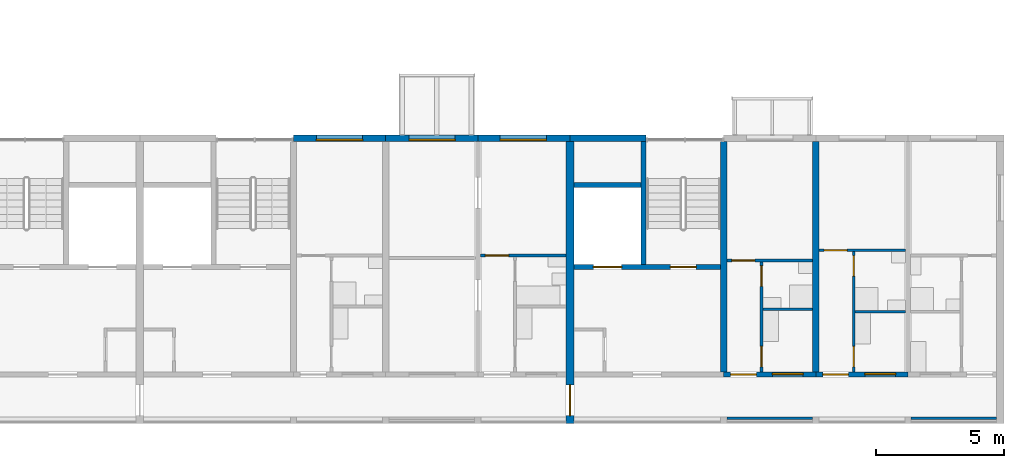
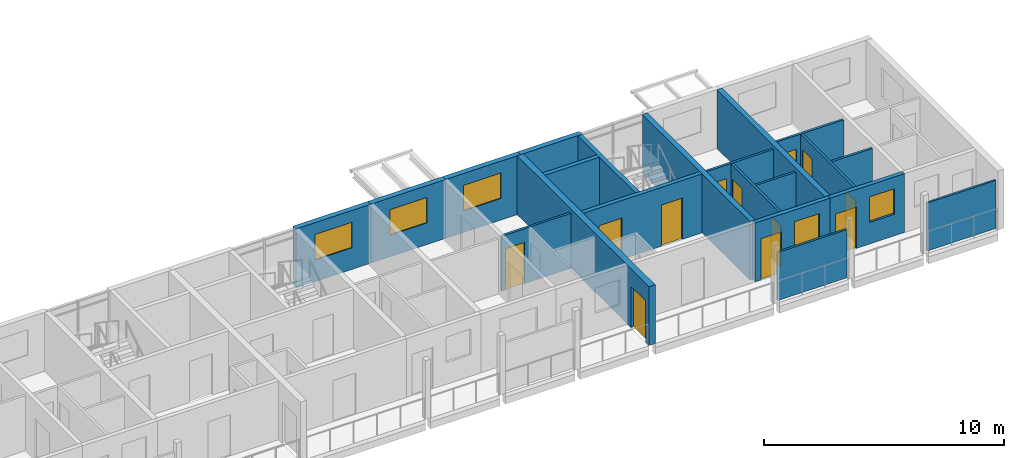
# One storey, part 53 of 99: 21 walls, 12 doors, 5 windows, 17 openings.
"""IFC4 building model written with IfcOpenShell, lengths in metres."""

from ifc_helpers import new_model, si_unit, direction, frame, frame_2d, origin, place, context, subcontext, project, spatial, rectangle, extrude, material, layer, layer_set, type_object, element, fill, save


model = new_model("IFC4")

# Units and contexts
model_context = context("Model", 3, precision=1e-05, world=origin(), true_north=direction((0.0, 1.0)))
body_context = subcontext(model_context, "Body", "Model", "MODEL_VIEW")
ifc_project = project(units=[si_unit("LENGTHUNIT", "METRE"), si_unit("AREAUNIT", "SQUARE_METRE"), si_unit("VOLUMEUNIT", "CUBIC_METRE"), si_unit("PLANEANGLEUNIT", "RADIAN"), si_unit("MASSUNIT", "GRAM", prefix="KILO")], contexts=[model_context])

# Site, building, storey
site_placement = place(None, origin())
site = spatial("IfcSite", under=ifc_project, at=site_placement, CompositionType="ELEMENT")
building_placement = place(site_placement, origin())
building = spatial("IfcBuilding", under=site, at=building_placement, Name="Ridgestep Commons", CompositionType="ELEMENT")
storey_placement = place(building_placement, frame((0.0, 0.0, 15.0)))
storey = spatial("IfcBuildingStorey", under=building, at=storey_placement, Name="L05", CompositionType="ELEMENT", Elevation=15.0)

# Wall
ifc_material_1 = material(Name="Concrete C30/37", Category="concrete")
ifc_layer_1 = layer(ifc_material_1, 0.25)
ifc_layer_set_1 = layer_set([ifc_layer_1], Name="Core cross wall 250")
wall_type_1 = type_object("IfcWallType", Name="Core cross wall 250", PredefinedType="SHEAR", material=ifc_layer_set_1)
wall_1_placement = place(storey_placement, frame((236.800048828125, 13.75, 0.0), z_axis=(0.0, 0.0, 1.0), x_axis=(0.0, 1.0, 0.0)))
element("IfcWall", 1, at=wall_1_placement, inside=storey, type_object=wall_type_1, Name="Cross wall D-05-2368", PredefinedType="SHEAR", context=body_context, shape_type="SweptSolid", body=[
    extrude(rectangle(XDim=9.0, YDim=0.25, at=frame_2d((4.5, 0.0))), origin(), (0.0, 0.0, 1.0), 3.0),
])

# Wall, openings, doors
ifc_material_2 = material(Name="Concrete C30/37", Category="concrete")
ifc_layer_2 = layer(ifc_material_2, 0.199951171875)
ifc_layer_set_2 = layer_set([ifc_layer_2], Name="Core wall 200")
wall_type_2 = type_object("IfcWallType", Name="Core wall 200", PredefinedType="SHEAR", material=ifc_layer_set_2)
wall_2_placement = place(storey_placement, frame((230.949951171875, 17.85009765625, 0.0), z_axis=(0.0, 0.0, 1.0), x_axis=(1.0, 0.0, 0.0)))
wall_2 = element("IfcWall", 2, at=wall_2_placement, inside=storey, type_object=wall_type_2, Name="Core lobby wall D6C L05", PredefinedType="SHEAR", context=body_context, shape_type="SweptSolid", body=[
    extrude(rectangle(XDim=5.72509765625, YDim=0.199951171875, at=frame_2d((2.862548828125, 0.0))), origin(), (0.0, 0.0, 1.0), 3.0),
])
opening_1_placement = place(wall_2_placement, frame((3.77490234375, 0.0, 0.0)))
opening_1 = element("IfcOpeningElement", 3, at=opening_1_placement, cuts=wall_2, Name="Opening D6C/05/2", PredefinedType="OPENING", context=body_context, shape_type="SweptSolid", body=[
    extrude(rectangle(XDim=1.0, YDim=2.10009765625, at=frame_2d((0.5, 1.050048828125))), frame((0.0, 0.10986328125, 0.0), z_axis=(0.0, -1.0, 0.0), x_axis=(1.0, 0.0, 0.0)), (0.0, 0.0, 1.0), 0.219970703125),
])
opening_2_placement = place(wall_2_placement, frame((0.762451171875, 0.0, 0.0)))
opening_2 = element("IfcOpeningElement", 4, at=opening_2_placement, cuts=wall_2, Name="Opening D6C/05/3", PredefinedType="OPENING", context=body_context, shape_type="SweptSolid", body=[
    extrude(rectangle(XDim=1.10009765625, YDim=2.10009765625, at=frame_2d((0.550048828125, 1.050048828125))), frame((0.0, 0.10986328125, 0.0), z_axis=(0.0, -1.0, 0.0), x_axis=(1.0, 0.0, 0.0)), (0.0, 0.0, 1.0), 0.219970703125),
])
ifc_material_3 = material(Name="Stainless steel", Category="steel")
door_type_1 = type_object("IfcDoorType", Name="Lift landing door 1100 x 2100 FD60", OperationType="DOUBLE_DOOR_SLIDING", PredefinedType="DOOR", material=ifc_material_3)
door_1_placement = place(opening_2_placement, origin())
door_1 = element("IfcDoor", 5, at=door_1_placement, inside=storey, type_object=door_type_1, Name="Landing door LD D6C L05", OperationType="DOUBLE_DOOR_SLIDING", OverallHeight=2.10009765625, OverallWidth=1.10009765625, PredefinedType="DOOR", context=body_context, shape_type="SweptSolid", body=[
    extrude(rectangle(XDim=1.10009765625, YDim=2.10009765625, at=frame_2d((0.550048828125, 1.050048828125))), frame((0.0, 0.02490234375, 0.0), z_axis=(0.0, -1.0, 0.0), x_axis=(1.0, 0.0, 0.0)), (0.0, 0.0, 1.0), 0.050048828125),
])
fill(opening_2, door_1)
ifc_material_4 = material(Name="Steel fire door", Category="steel")
door_type_2 = type_object("IfcDoorType", Name="Stair door 1000 x 2100 FD60", OperationType="NOTDEFINED", PredefinedType="DOOR", material=ifc_material_4)
door_2_placement = place(opening_1_placement, origin())
door_2 = element("IfcDoor", 6, at=door_2_placement, inside=storey, type_object=door_type_2, Name="Stair door D6C/05/2", OperationType="SINGLE_SWING_RIGHT", OverallHeight=2.10009765625, OverallWidth=1.0, PredefinedType="DOOR", context=body_context, shape_type="SweptSolid", body=[
    extrude(rectangle(XDim=1.0, YDim=2.10009765625, at=frame_2d((0.5, 1.050048828125))), frame((0.0, 0.02490234375, 0.0), z_axis=(0.0, -1.0, 0.0), x_axis=(1.0, 0.0, 0.0)), (0.0, 0.0, 1.0), 0.050048828125),
])
fill(opening_1, door_2)

# Walls
wall_3_placement = place(storey_placement, frame((233.675048828125, 17.949951171875, 0.0), z_axis=(0.0, 0.0, 1.0), x_axis=(0.0, 1.0, 0.0)))
element("IfcWall", 7, at=wall_3_placement, inside=storey, type_object=wall_type_2, Name="Core stair wall D6C L05", PredefinedType="SHEAR", context=body_context, shape_type="SweptSolid", body=[
    extrude(rectangle(XDim=4.800048828125, YDim=0.199951171875, at=frame_2d((2.39990234375, 0.0))), origin(), (0.0, 0.0, 1.0), 3.0),
])
wall_4_placement = place(storey_placement, frame((230.949951171875, 21.050048828125, 0.0), z_axis=(0.0, 0.0, 1.0), x_axis=(1.0, 0.0, 0.0)))
element("IfcWall", 8, at=wall_4_placement, inside=storey, type_object=wall_type_2, Name="Core duct wall D6C L05", PredefinedType="SHEAR", context=body_context, shape_type="SweptSolid", body=[
    extrude(rectangle(XDim=2.625, YDim=0.199951171875, at=frame_2d((1.3125, 0.0))), origin(), (0.0, 0.0, 1.0), 3.0),
])
ifc_material_5 = material(Name="Precast concrete C40/50", Category="concrete")
ifc_layer_3 = layer(ifc_material_5, 0.25)
ifc_layer_set_3 = layer_set([ifc_layer_3], Name="Cross wall 250")
wall_type_3 = type_object("IfcWallType", Name="Cross wall 250", PredefinedType="SHEAR", material=ifc_layer_set_3)
wall_5_placement = place(storey_placement, frame((240.39990234375, 13.75, 0.0), z_axis=(0.0, 0.0, 1.0), x_axis=(0.0, 1.0, 0.0)))
element("IfcWall", 9, at=wall_5_placement, inside=storey, type_object=wall_type_3, Name="Cross wall D-05-2404", PredefinedType="SHEAR", context=body_context, shape_type="SweptSolid", body=[
    extrude(rectangle(XDim=9.0, YDim=0.25, at=frame_2d((4.5, 0.0))), origin(), (0.0, 0.0, 1.0), 3.0),
])

# Wall, opening, door
ifc_material_6 = material(Name="Precast concrete C40/50", Category="concrete")
ifc_layer_4 = layer(ifc_material_6, 0.300048828125)
ifc_layer_set_4 = layer_set([ifc_layer_4], Name="Division wall 300")
wall_type_4 = type_object("IfcWallType", Name="Division wall 300", PredefinedType="SHEAR", material=ifc_layer_set_4)
wall_6_placement = place(storey_placement, frame((230.800048828125, 11.75, 0.0), z_axis=(0.0, 0.0, 1.0), x_axis=(0.0, 1.0, 0.0)))
wall_6 = element("IfcWall", 10, at=wall_6_placement, inside=storey, type_object=wall_type_4, Name="Cross wall D-05-2308", PredefinedType="SHEAR", context=body_context, shape_type="SweptSolid", body=[
    extrude(rectangle(XDim=11.0, YDim=0.300048828125, at=frame_2d((5.5, 0.0))), origin(), (0.0, 0.0, 1.0), 3.0),
])
opening_3_placement = place(wall_6_placement, frame((0.300048828125, 0.0, 0.0)))
opening_3 = element("IfcOpeningElement", 11, at=opening_3_placement, cuts=wall_6, Name="Opening D/05/G2308", PredefinedType="OPENING", context=body_context, shape_type="SweptSolid", body=[
    extrude(rectangle(XDim=1.199951171875, YDim=2.10009765625, at=frame_2d((0.60009765625, 1.050048828125))), frame((0.0, 0.159912109375, 0.0), z_axis=(0.0, -1.0, 0.0), x_axis=(1.0, 0.0, 0.0)), (0.0, 0.0, 1.0), 0.320068359375),
])
ifc_material_7 = material(Name="Steel fire door", Category="steel")
door_type_3 = type_object("IfcDoorType", Name="Division fire door 1200 x 2100 EI 240", OperationType="DOUBLE_DOOR_SINGLE_SWING", PredefinedType="DOOR", material=ifc_material_7)
door_3_placement = place(opening_3_placement, origin())
door_3 = element("IfcDoor", 12, at=door_3_placement, inside=storey, type_object=door_type_3, Name="Division fire door D/05/G2308", OperationType="DOUBLE_DOOR_SINGLE_SWING", OverallHeight=2.10009765625, OverallWidth=1.199951171875, PredefinedType="DOOR", context=body_context, shape_type="SweptSolid", body=[
    extrude(rectangle(XDim=1.199951171875, YDim=2.10009765625, at=frame_2d((0.60009765625, 1.050048828125))), frame((0.0, 0.02490234375, 0.0), z_axis=(0.0, -1.0, 0.0), x_axis=(1.0, 0.0, 0.0)), (0.0, 0.0, 1.0), 0.050048828125),
])
fill(opening_3, door_3)

# Wall, opening, window
ifc_material_8 = material(Name="Precast concrete C40/50", Category="concrete")
ifc_layer_5 = layer(ifc_material_8, 0.25)
ifc_layer_set_5 = layer_set([ifc_layer_5], Name="North facade panel 250")
wall_type_5 = type_object("IfcWallType", Name="North facade panel 250", PredefinedType="SOLIDWALL", material=ifc_layer_set_5)
wall_7_placement = place(storey_placement, frame((220.0, 22.875, 0.0), z_axis=(0.0, 0.0, 1.0), x_axis=(1.0, 0.0, 0.0)))
wall_7 = element("IfcWall", 13, at=wall_7_placement, inside=storey, type_object=wall_type_5, Name="North panel D5T3 L05", PredefinedType="SOLIDWALL", context=body_context, shape_type="SweptSolid", body=[
    extrude(rectangle(XDim=3.60009765625, YDim=0.25, at=frame_2d((1.800048828125, 0.0))), origin(), (0.0, 0.0, 1.0), 3.0),
])
opening_4_placement = place(wall_7_placement, frame((0.89990234375, 0.0, 1.10009765625)))
opening_4 = element("IfcOpeningElement", 14, at=opening_4_placement, cuts=wall_7, Name="Opening W18", PredefinedType="OPENING", context=body_context, shape_type="SweptSolid", body=[
    extrude(rectangle(XDim=1.800048828125, YDim=1.300048828125, at=frame_2d((0.89990234375, 0.64990234375))), frame((0.0, 0.135009765625, 0.0), z_axis=(0.0, -1.0, 0.0), x_axis=(1.0, 0.0, 0.0)), (0.0, 0.0, 1.0), 0.27001953125),
])
ifc_material_9 = material(Name="Aluminium 6063-T6 and glass", Category="aluminium")
window_type_1 = type_object("IfcWindowType", Name="Flat window 1800 x 1300", PartitioningType="DOUBLE_PANEL_VERTICAL", PredefinedType="WINDOW", material=ifc_material_9)
window_1_placement = place(opening_4_placement, origin())
window_1 = element("IfcWindow", 15, at=window_1_placement, inside=storey, type_object=window_type_1, Name="Window D5-05b 2", OverallHeight=1.300048828125, OverallWidth=1.800048828125, PartitioningType="SINGLE_PANEL", PredefinedType="WINDOW", context=body_context, shape_type="SweptSolid", body=[
    extrude(rectangle(XDim=1.800048828125, YDim=1.300048828125, at=frame_2d((0.89990234375, 0.64990234375))), frame((0.0, -0.02490234375, 0.0), z_axis=(0.0, -1.0, 0.0), x_axis=(1.0, 0.0, 0.0)), (0.0, 0.0, 1.0), 0.06005859375),
])
fill(opening_4, window_1)

wall_8_placement = place(storey_placement, frame((223.60009765625, 22.875, 0.0), z_axis=(0.0, 0.0, 1.0), x_axis=(1.0, 0.0, 0.0)))
wall_8 = element("IfcWall", 16, at=wall_8_placement, inside=storey, type_object=wall_type_5, Name="North panel D5T2 L05", PredefinedType="SOLIDWALL", context=body_context, shape_type="SweptSolid", body=[
    extrude(rectangle(XDim=3.599853515625, YDim=0.25, at=frame_2d((1.7998046875, 0.0))), origin(), (0.0, 0.0, 1.0), 3.0),
])
opening_5_placement = place(wall_8_placement, frame((0.91259765625, 0.0, 1.10009765625)))
opening_5 = element("IfcOpeningElement", 17, at=opening_5_placement, cuts=wall_8, Name="Opening W18", PredefinedType="OPENING", context=body_context, shape_type="SweptSolid", body=[
    extrude(rectangle(XDim=1.800048828125, YDim=1.300048828125, at=frame_2d((0.89990234375, 0.64990234375))), frame((0.0, 0.135009765625, 0.0), z_axis=(0.0, -1.0, 0.0), x_axis=(1.0, 0.0, 0.0)), (0.0, 0.0, 1.0), 0.27001953125),
])
window_2_placement = place(opening_5_placement, origin())
window_2 = element("IfcWindow", 18, at=window_2_placement, inside=storey, type_object=window_type_1, Name="Window D5-05a 2", OverallHeight=1.300048828125, OverallWidth=1.800048828125, PartitioningType="SINGLE_PANEL", PredefinedType="WINDOW", context=body_context, shape_type="SweptSolid", body=[
    extrude(rectangle(XDim=1.800048828125, YDim=1.300048828125, at=frame_2d((0.89990234375, 0.64990234375))), frame((0.0, -0.02490234375, 0.0), z_axis=(0.0, -1.0, 0.0), x_axis=(1.0, 0.0, 0.0)), (0.0, 0.0, 1.0), 0.06005859375),
])
fill(opening_5, window_2)

wall_9_placement = place(storey_placement, frame((227.199951171875, 22.875, 0.0), z_axis=(0.0, 0.0, 1.0), x_axis=(1.0, 0.0, 0.0)))
wall_9 = element("IfcWall", 19, at=wall_9_placement, inside=storey, type_object=wall_type_5, Name="North panel D5T1 L05", PredefinedType="SOLIDWALL", context=body_context, shape_type="SweptSolid", body=[
    extrude(rectangle(XDim=3.60009765625, YDim=0.25, at=frame_2d((1.800048828125, 0.0))), origin(), (0.0, 0.0, 1.0), 3.0),
])
opening_6_placement = place(wall_9_placement, frame((0.875, 0.0, 1.10009765625)))
opening_6 = element("IfcOpeningElement", 20, at=opening_6_placement, cuts=wall_9, Name="Opening W18", PredefinedType="OPENING", context=body_context, shape_type="SweptSolid", body=[
    extrude(rectangle(XDim=1.800048828125, YDim=1.300048828125, at=frame_2d((0.89990234375, 0.64990234375))), frame((0.0, 0.135009765625, 0.0), z_axis=(0.0, -1.0, 0.0), x_axis=(1.0, 0.0, 0.0)), (0.0, 0.0, 1.0), 0.27001953125),
])
window_3_placement = place(opening_6_placement, origin())
window_3 = element("IfcWindow", 21, at=window_3_placement, inside=storey, type_object=window_type_1, Name="Window D5-05a 4", OverallHeight=1.300048828125, OverallWidth=1.800048828125, PartitioningType="SINGLE_PANEL", PredefinedType="WINDOW", context=body_context, shape_type="SweptSolid", body=[
    extrude(rectangle(XDim=1.800048828125, YDim=1.300048828125, at=frame_2d((0.89990234375, 0.64990234375))), frame((0.0, -0.02490234375, 0.0), z_axis=(0.0, -1.0, 0.0), x_axis=(1.0, 0.0, 0.0)), (0.0, 0.0, 1.0), 0.06005859375),
])
fill(opening_6, window_3)

# Wall
wall_10_placement = place(storey_placement, frame((230.800048828125, 22.875, 0.0), z_axis=(0.0, 0.0, 1.0), x_axis=(1.0, 0.0, 0.0)))
element("IfcWall", 22, at=wall_10_placement, inside=storey, type_object=wall_type_5, Name="North panel D6C L05", PredefinedType="SOLIDWALL", context=body_context, shape_type="SweptSolid", body=[
    extrude(rectangle(XDim=2.974853515625, YDim=0.25, at=frame_2d((1.4873046875, 0.0))), origin(), (0.0, 0.0, 1.0), 3.0),
])

# Wall, opening, door
ifc_material_10 = material(Name="Common brick 110 mm", Category="masonry")
ifc_layer_6 = layer(ifc_material_10, 0.110107421875)
ifc_layer_set_6 = layer_set([ifc_layer_6], Name="Partition 110")
wall_type_6 = type_object("IfcWallType", Name="Partition 110", PredefinedType="PARTITIONING", material=ifc_layer_set_6)
wall_11_placement = place(storey_placement, frame((227.300048828125, 18.304931640625, 0.0), z_axis=(0.0, 0.0, 1.0), x_axis=(1.0, 0.0, 0.0)))
wall_11 = element("IfcWall", 23, at=wall_11_placement, inside=storey, type_object=wall_type_6, Name="Partition D5-05a", PredefinedType="PARTITIONING", context=body_context, shape_type="SweptSolid", body=[
    extrude(rectangle(XDim=3.349853515625, YDim=0.110107421875, at=frame_2d((1.6748046875, 0.0))), origin(), (0.0, 0.0, 1.0), 2.800048828125),
])
opening_7_placement = place(wall_11_placement, frame((0.199951171875, 0.0, 0.0)))
opening_7 = element("IfcOpeningElement", 24, at=opening_7_placement, cuts=wall_11, Name="Opening D5-05a/4", PredefinedType="OPENING", context=body_context, shape_type="SweptSolid", body=[
    extrude(rectangle(XDim=0.89990234375, YDim=2.10009765625, at=frame_2d((0.449951171875, 1.050048828125))), frame((0.0, 0.06494140625, 0.0), z_axis=(0.0, -1.0, 0.0), x_axis=(1.0, 0.0, 0.0)), (0.0, 0.0, 1.0), 0.130126953125),
])
ifc_material_11 = material(Name="Timber door leaf", Category="wood")
door_type_4 = type_object("IfcDoorType", Name="Internal door 900 x 2100", OperationType="NOTDEFINED", PredefinedType="DOOR", material=ifc_material_11)
door_4_placement = place(opening_7_placement, origin())
door_4 = element("IfcDoor", 25, at=door_4_placement, inside=storey, type_object=door_type_4, Name="Internal door D5-05a/4", OperationType="SINGLE_SWING_LEFT", OverallHeight=2.10009765625, OverallWidth=0.89990234375, PredefinedType="DOOR", context=body_context, shape_type="SweptSolid", body=[
    extrude(rectangle(XDim=0.89990234375, YDim=2.10009765625, at=frame_2d((0.449951171875, 1.050048828125))), frame((0.0, 0.02490234375, 0.0), z_axis=(0.0, -1.0, 0.0), x_axis=(1.0, 0.0, 0.0)), (0.0, 0.0, 1.0), 0.050048828125),
])
fill(opening_7, door_4)

# Wall, openings, doors
wall_12_placement = place(storey_placement, frame((241.8798828125, 13.75, 0.0), z_axis=(0.0, 0.0, 1.0), x_axis=(0.0, 1.0, 0.0)))
wall_12 = element("IfcWall", 26, at=wall_12_placement, inside=storey, type_object=wall_type_6, Name="Partition D6-05b", PredefinedType="PARTITIONING", context=body_context, shape_type="SweptSolid", body=[
    extrude(rectangle(XDim=4.699951171875, YDim=0.110107421875, at=frame_2d((2.35009765625, 0.0))), origin(), (0.0, 0.0, 1.0), 2.800048828125),
])
opening_8_placement = place(wall_12_placement, frame((0.199951171875, 0.0, 0.0)))
opening_8 = element("IfcOpeningElement", 27, at=opening_8_placement, cuts=wall_12, Name="Opening D6-05b/2", PredefinedType="OPENING", context=body_context, shape_type="SweptSolid", body=[
    extrude(rectangle(XDim=0.800048828125, YDim=2.10009765625, at=frame_2d((0.39990234375, 1.050048828125))), frame((0.0, 0.06494140625, 0.0), z_axis=(0.0, -1.0, 0.0), x_axis=(1.0, 0.0, 0.0)), (0.0, 0.0, 1.0), 0.130126953125),
])
opening_9_placement = place(wall_12_placement, frame((3.75, 0.0, 0.0)))
opening_9 = element("IfcOpeningElement", 28, at=opening_9_placement, cuts=wall_12, Name="Opening D6-05b/3", PredefinedType="OPENING", context=body_context, shape_type="SweptSolid", body=[
    extrude(rectangle(XDim=0.800048828125, YDim=2.10009765625, at=frame_2d((0.39990234375, 1.050048828125))), frame((0.0, 0.06494140625, 0.0), z_axis=(0.0, -1.0, 0.0), x_axis=(1.0, 0.0, 0.0)), (0.0, 0.0, 1.0), 0.130126953125),
])
ifc_material_12 = material(Name="Timber door leaf", Category="wood")
door_type_5 = type_object("IfcDoorType", Name="Internal door 800 x 2100", OperationType="NOTDEFINED", PredefinedType="DOOR", material=ifc_material_12)
door_5_placement = place(opening_8_placement, origin())
door_5 = element("IfcDoor", 29, at=door_5_placement, inside=storey, type_object=door_type_5, Name="Internal door D6-05b/2", OperationType="SINGLE_SWING_RIGHT", OverallHeight=2.10009765625, OverallWidth=0.800048828125, PredefinedType="DOOR", context=body_context, shape_type="SweptSolid", body=[
    extrude(rectangle(XDim=0.800048828125, YDim=2.10009765625, at=frame_2d((0.39990234375, 1.050048828125))), frame((0.0, 0.02490234375, 0.0), z_axis=(0.0, -1.0, 0.0), x_axis=(1.0, 0.0, 0.0)), (0.0, 0.0, 1.0), 0.050048828125),
])
fill(opening_8, door_5)
door_6_placement = place(opening_9_placement, origin())
door_6 = element("IfcDoor", 30, at=door_6_placement, inside=storey, type_object=door_type_5, Name="Internal door D6-05b/3", OperationType="SINGLE_SWING_LEFT", OverallHeight=2.10009765625, OverallWidth=0.800048828125, PredefinedType="DOOR", context=body_context, shape_type="SweptSolid", body=[
    extrude(rectangle(XDim=0.800048828125, YDim=2.10009765625, at=frame_2d((0.39990234375, 1.050048828125))), frame((0.0, 0.02490234375, 0.0), z_axis=(0.0, -1.0, 0.0), x_axis=(1.0, 0.0, 0.0)), (0.0, 0.0, 1.0), 0.050048828125),
])
fill(opening_9, door_6)

# Wall
wall_13_placement = place(storey_placement, frame((241.93505859375, 16.10498046875, 0.0), z_axis=(0.0, 0.0, 1.0), x_axis=(1.0, 0.0, 0.0)))
element("IfcWall", 31, at=wall_13_placement, inside=storey, type_object=wall_type_6, Name="Partition D6-05b", PredefinedType="PARTITIONING", context=body_context, shape_type="SweptSolid", body=[
    extrude(rectangle(XDim=1.96484375, YDim=0.110107421875, at=frame_2d((0.982421875, 0.0))), origin(), (0.0, 0.0, 1.0), 2.800048828125),
])

# Wall, opening, door
wall_14_placement = place(storey_placement, frame((240.52490234375, 18.5048828125, 0.0), z_axis=(0.0, 0.0, 1.0), x_axis=(1.0, 0.0, 0.0)))
wall_14 = element("IfcWall", 32, at=wall_14_placement, inside=storey, type_object=wall_type_6, Name="Partition D6-05b", PredefinedType="PARTITIONING", context=body_context, shape_type="SweptSolid", body=[
    extrude(rectangle(XDim=3.375, YDim=0.110107421875, at=frame_2d((1.6875, 0.0))), origin(), (0.0, 0.0, 1.0), 2.800048828125),
])
opening_10_placement = place(wall_14_placement, frame((0.199951171875, 0.0, 0.0)))
opening_10 = element("IfcOpeningElement", 33, at=opening_10_placement, cuts=wall_14, Name="Opening D6-05b/4", PredefinedType="OPENING", context=body_context, shape_type="SweptSolid", body=[
    extrude(rectangle(XDim=0.89990234375, YDim=2.10009765625, at=frame_2d((0.449951171875, 1.050048828125))), frame((0.0, 0.06494140625, 0.0), z_axis=(0.0, -1.0, 0.0), x_axis=(1.0, 0.0, 0.0)), (0.0, 0.0, 1.0), 0.130126953125),
])
door_7_placement = place(opening_10_placement, origin())
door_7 = element("IfcDoor", 34, at=door_7_placement, inside=storey, type_object=door_type_4, Name="Internal door D6-05b/4", OperationType="SINGLE_SWING_LEFT", OverallHeight=2.10009765625, OverallWidth=0.89990234375, PredefinedType="DOOR", context=body_context, shape_type="SweptSolid", body=[
    extrude(rectangle(XDim=0.89990234375, YDim=2.10009765625, at=frame_2d((0.449951171875, 1.050048828125))), frame((0.0, 0.02490234375, 0.0), z_axis=(0.0, -1.0, 0.0), x_axis=(1.0, 0.0, 0.0)), (0.0, 0.0, 1.0), 0.050048828125),
])
fill(opening_10, door_7)

# Wall, openings, doors
wall_15_placement = place(storey_placement, frame((238.280029296875, 13.75, 0.0), z_axis=(0.0, 0.0, 1.0), x_axis=(0.0, 1.0, 0.0)))
wall_15 = element("IfcWall", 35, at=wall_15_placement, inside=storey, type_object=wall_type_6, Name="Partition D6-05c", PredefinedType="PARTITIONING", context=body_context, shape_type="SweptSolid", body=[
    extrude(rectangle(XDim=4.300048828125, YDim=0.110107421875, at=frame_2d((2.14990234375, 0.0))), origin(), (0.0, 0.0, 1.0), 2.800048828125),
])
opening_11_placement = place(wall_15_placement, frame((0.199951171875, 0.0, 0.0)))
opening_11 = element("IfcOpeningElement", 36, at=opening_11_placement, cuts=wall_15, Name="Opening D6-05c/2", PredefinedType="OPENING", context=body_context, shape_type="SweptSolid", body=[
    extrude(rectangle(XDim=0.800048828125, YDim=2.10009765625, at=frame_2d((0.39990234375, 1.050048828125))), frame((0.0, 0.06494140625, 0.0), z_axis=(0.0, -1.0, 0.0), x_axis=(1.0, 0.0, 0.0)), (0.0, 0.0, 1.0), 0.130126953125),
])
opening_12_placement = place(wall_15_placement, frame((3.35009765625, 0.0, 0.0)))
opening_12 = element("IfcOpeningElement", 37, at=opening_12_placement, cuts=wall_15, Name="Opening D6-05c/3", PredefinedType="OPENING", context=body_context, shape_type="SweptSolid", body=[
    extrude(rectangle(XDim=0.800048828125, YDim=2.10009765625, at=frame_2d((0.39990234375, 1.050048828125))), frame((0.0, 0.06494140625, 0.0), z_axis=(0.0, -1.0, 0.0), x_axis=(1.0, 0.0, 0.0)), (0.0, 0.0, 1.0), 0.130126953125),
])
door_8_placement = place(opening_11_placement, origin())
door_8 = element("IfcDoor", 38, at=door_8_placement, inside=storey, type_object=door_type_5, Name="Internal door D6-05c/2", OperationType="SINGLE_SWING_RIGHT", OverallHeight=2.10009765625, OverallWidth=0.800048828125, PredefinedType="DOOR", context=body_context, shape_type="SweptSolid", body=[
    extrude(rectangle(XDim=0.800048828125, YDim=2.10009765625, at=frame_2d((0.39990234375, 1.050048828125))), frame((0.0, 0.02490234375, 0.0), z_axis=(0.0, -1.0, 0.0), x_axis=(1.0, 0.0, 0.0)), (0.0, 0.0, 1.0), 0.050048828125),
])
fill(opening_11, door_8)
door_9_placement = place(opening_12_placement, origin())
door_9 = element("IfcDoor", 39, at=door_9_placement, inside=storey, type_object=door_type_5, Name="Internal door D6-05c/3", OperationType="SINGLE_SWING_LEFT", OverallHeight=2.10009765625, OverallWidth=0.800048828125, PredefinedType="DOOR", context=body_context, shape_type="SweptSolid", body=[
    extrude(rectangle(XDim=0.800048828125, YDim=2.10009765625, at=frame_2d((0.39990234375, 1.050048828125))), frame((0.0, 0.02490234375, 0.0), z_axis=(0.0, -1.0, 0.0), x_axis=(1.0, 0.0, 0.0)), (0.0, 0.0, 1.0), 0.050048828125),
])
fill(opening_12, door_9)

# Wall
wall_16_placement = place(storey_placement, frame((238.3349609375, 16.205078125, 0.0), z_axis=(0.0, 0.0, 1.0), x_axis=(1.0, 0.0, 0.0)))
element("IfcWall", 40, at=wall_16_placement, inside=storey, type_object=wall_type_6, Name="Partition D6-05c", PredefinedType="PARTITIONING", context=body_context, shape_type="SweptSolid", body=[
    extrude(rectangle(XDim=1.93994140625, YDim=0.110107421875, at=frame_2d((0.969970703125, 0.0))), origin(), (0.0, 0.0, 1.0), 2.800048828125),
])

# Wall, opening, door
wall_17_placement = place(storey_placement, frame((236.925048828125, 18.10498046875, 0.0), z_axis=(0.0, 0.0, 1.0), x_axis=(1.0, 0.0, 0.0)))
wall_17 = element("IfcWall", 41, at=wall_17_placement, inside=storey, type_object=wall_type_6, Name="Partition D6-05c", PredefinedType="PARTITIONING", context=body_context, shape_type="SweptSolid", body=[
    extrude(rectangle(XDim=3.349853515625, YDim=0.110107421875, at=frame_2d((1.6748046875, 0.0))), origin(), (0.0, 0.0, 1.0), 2.800048828125),
])
opening_13_placement = place(wall_17_placement, frame((0.199951171875, 0.0, 0.0)))
opening_13 = element("IfcOpeningElement", 42, at=opening_13_placement, cuts=wall_17, Name="Opening D6-05c/4", PredefinedType="OPENING", context=body_context, shape_type="SweptSolid", body=[
    extrude(rectangle(XDim=0.89990234375, YDim=2.10009765625, at=frame_2d((0.449951171875, 1.050048828125))), frame((0.0, 0.06494140625, 0.0), z_axis=(0.0, -1.0, 0.0), x_axis=(1.0, 0.0, 0.0)), (0.0, 0.0, 1.0), 0.130126953125),
])
door_10_placement = place(opening_13_placement, origin())
door_10 = element("IfcDoor", 43, at=door_10_placement, inside=storey, type_object=door_type_4, Name="Internal door D6-05c/4", OperationType="SINGLE_SWING_LEFT", OverallHeight=2.10009765625, OverallWidth=0.89990234375, PredefinedType="DOOR", context=body_context, shape_type="SweptSolid", body=[
    extrude(rectangle(XDim=0.89990234375, YDim=2.10009765625, at=frame_2d((0.449951171875, 1.050048828125))), frame((0.0, 0.02490234375, 0.0), z_axis=(0.0, -1.0, 0.0), x_axis=(1.0, 0.0, 0.0)), (0.0, 0.0, 1.0), 0.050048828125),
])
fill(opening_13, door_10)

# Walls
ifc_material_13 = material(Name="Precast concrete C30/37", Category="concrete")
ifc_layer_7 = layer(ifc_material_13, 0.10009765625)
ifc_layer_set_7 = layer_set([ifc_layer_7], Name="Perforated gallery screen 3325 x 2450 x 100")
wall_type_7 = type_object("IfcWallType", Name="Perforated gallery screen 3325 x 2450 x 100", PredefinedType="SOLIDWALL", material=ifc_layer_set_7)
wall_18_placement = place(storey_placement, frame((244.125, 11.949951171875, 0.0), z_axis=(0.0, 0.0, 1.0), x_axis=(1.0, 0.0, 0.0)))
element("IfcWall", 44, at=wall_18_placement, inside=storey, type_object=wall_type_7, Name="Gallery screen D6T1 05", PredefinedType="SOLIDWALL", context=body_context, shape_type="SweptSolid", body=[
    extrude(rectangle(XDim=3.324951171875, YDim=0.10009765625, at=frame_2d((1.66259765625, 0.0))), origin(), (0.0, 0.0, 1.0), 2.449951171875),
])
ifc_material_14 = material(Name="Precast concrete C30/37", Category="concrete")
ifc_layer_8 = layer(ifc_material_14, 0.10009765625)
ifc_layer_set_8 = layer_set([ifc_layer_8], Name="Perforated gallery screen 3350 x 2450 x 100")
wall_type_8 = type_object("IfcWallType", Name="Perforated gallery screen 3350 x 2450 x 100", PredefinedType="SOLIDWALL", material=ifc_layer_set_8)
wall_19_placement = place(storey_placement, frame((236.925048828125, 11.949951171875, 0.0), z_axis=(0.0, 0.0, 1.0), x_axis=(1.0, 0.0, 0.0)))
element("IfcWall", 45, at=wall_19_placement, inside=storey, type_object=wall_type_8, Name="Gallery screen D6T3 05", PredefinedType="SOLIDWALL", context=body_context, shape_type="SweptSolid", body=[
    extrude(rectangle(XDim=3.349853515625, YDim=0.10009765625, at=frame_2d((1.6748046875, 0.0))), origin(), (0.0, 0.0, 1.0), 2.449951171875),
])

# Wall, openings, door, window
ifc_material_15 = material(Name="Precast concrete C40/50", Category="concrete")
ifc_layer_9 = layer(ifc_material_15, 0.199951171875)
ifc_layer_set_9 = layer_set([ifc_layer_9], Name="South facade panel 200")
wall_type_9 = type_object("IfcWallType", Name="South facade panel 200", PredefinedType="SOLIDWALL", material=ifc_layer_set_9)
wall_20_placement = place(storey_placement, frame((236.800048828125, 13.64990234375, 0.0), z_axis=(0.0, 0.0, 1.0), x_axis=(1.0, 0.0, 0.0)))
wall_20 = element("IfcWall", 46, at=wall_20_placement, inside=storey, type_object=wall_type_9, Name="South panel D6T3 L05", PredefinedType="SOLIDWALL", context=body_context, shape_type="SweptSolid", body=[
    extrude(rectangle(XDim=3.599853515625, YDim=0.199951171875, at=frame_2d((1.7998046875, 0.0))), origin(), (0.0, 0.0, 1.0), 3.0),
])
opening_14_placement = place(wall_20_placement, frame((1.905029296875, 0.0, 1.10009765625)))
opening_14 = element("IfcOpeningElement", 47, at=opening_14_placement, cuts=wall_20, Name="Opening W08", PredefinedType="OPENING", context=body_context, shape_type="SweptSolid", body=[
    extrude(rectangle(XDim=1.199951171875, YDim=1.300048828125, at=frame_2d((0.60009765625, 0.64990234375))), frame((0.0, 0.10986328125, 0.0), z_axis=(0.0, -1.0, 0.0), x_axis=(1.0, 0.0, 0.0)), (0.0, 0.0, 1.0), 0.219970703125),
])
opening_15_placement = place(wall_20_placement, frame((0.27490234375, 0.0, 0.0)))
opening_15 = element("IfcOpeningElement", 48, at=opening_15_placement, cuts=wall_20, Name="Opening D6-05c/1", PredefinedType="OPENING", context=body_context, shape_type="SweptSolid", body=[
    extrude(rectangle(XDim=1.0, YDim=2.10009765625, at=frame_2d((0.5, 1.050048828125))), frame((0.0, 0.10986328125, 0.0), z_axis=(0.0, -1.0, 0.0), x_axis=(1.0, 0.0, 0.0)), (0.0, 0.0, 1.0), 0.219970703125),
])
ifc_material_16 = material(Name="Timber door leaf", Category="wood")
door_type_6 = type_object("IfcDoorType", Name="Flat entrance door 1000 x 2100 FD30S", OperationType="NOTDEFINED", PredefinedType="DOOR", material=ifc_material_16)
door_11_placement = place(opening_15_placement, origin())
door_11 = element("IfcDoor", 49, at=door_11_placement, inside=storey, type_object=door_type_6, Name="Flat entrance door D6-05c/1", OperationType="SINGLE_SWING_LEFT", OverallHeight=2.10009765625, OverallWidth=1.0, PredefinedType="DOOR", context=body_context, shape_type="SweptSolid", body=[
    extrude(rectangle(XDim=1.0, YDim=2.10009765625, at=frame_2d((0.5, 1.050048828125))), frame((0.0, 0.02490234375, 0.0), z_axis=(0.0, -1.0, 0.0), x_axis=(1.0, 0.0, 0.0)), (0.0, 0.0, 1.0), 0.050048828125),
])
fill(opening_15, door_11)
ifc_material_17 = material(Name="Aluminium 6063-T6 and glass", Category="aluminium")
window_type_2 = type_object("IfcWindowType", Name="Flat window 1200 x 1300", PartitioningType="SINGLE_PANEL", PredefinedType="WINDOW", material=ifc_material_17)
window_4_placement = place(opening_14_placement, origin())
window_4 = element("IfcWindow", 50, at=window_4_placement, inside=storey, type_object=window_type_2, Name="Window D6-05c 1", OverallHeight=1.300048828125, OverallWidth=1.199951171875, PartitioningType="SINGLE_PANEL", PredefinedType="WINDOW", context=body_context, shape_type="SweptSolid", body=[
    extrude(rectangle(XDim=1.199951171875, YDim=1.300048828125, at=frame_2d((0.60009765625, 0.64990234375))), frame((0.0, 0.06005859375, 0.0), z_axis=(0.0, -1.0, 0.0), x_axis=(1.0, 0.0, 0.0)), (0.0, 0.0, 1.0), 0.06005859375),
])
fill(opening_14, window_4)

wall_21_placement = place(storey_placement, frame((240.39990234375, 13.64990234375, 0.0), z_axis=(0.0, 0.0, 1.0), x_axis=(1.0, 0.0, 0.0)))
wall_21 = element("IfcWall", 51, at=wall_21_placement, inside=storey, type_object=wall_type_9, Name="South panel D6T2 L05", PredefinedType="SOLIDWALL", context=body_context, shape_type="SweptSolid", body=[
    extrude(rectangle(XDim=3.60009765625, YDim=0.199951171875, at=frame_2d((1.800048828125, 0.0))), origin(), (0.0, 0.0, 1.0), 3.0),
])
opening_16_placement = place(wall_21_placement, frame((1.91748046875, 0.0, 1.10009765625)))
opening_16 = element("IfcOpeningElement", 52, at=opening_16_placement, cuts=wall_21, Name="Opening W08", PredefinedType="OPENING", context=body_context, shape_type="SweptSolid", body=[
    extrude(rectangle(XDim=1.199951171875, YDim=1.300048828125, at=frame_2d((0.60009765625, 0.64990234375))), frame((0.0, 0.10986328125, 0.0), z_axis=(0.0, -1.0, 0.0), x_axis=(1.0, 0.0, 0.0)), (0.0, 0.0, 1.0), 0.219970703125),
])
opening_17_placement = place(wall_21_placement, frame((0.27490234375, 0.0, 0.0)))
opening_17 = element("IfcOpeningElement", 53, at=opening_17_placement, cuts=wall_21, Name="Opening D6-05b/1", PredefinedType="OPENING", context=body_context, shape_type="SweptSolid", body=[
    extrude(rectangle(XDim=1.0, YDim=2.10009765625, at=frame_2d((0.5, 1.050048828125))), frame((0.0, 0.10986328125, 0.0), z_axis=(0.0, -1.0, 0.0), x_axis=(1.0, 0.0, 0.0)), (0.0, 0.0, 1.0), 0.219970703125),
])
door_12_placement = place(opening_17_placement, origin())
door_12 = element("IfcDoor", 54, at=door_12_placement, inside=storey, type_object=door_type_6, Name="Flat entrance door D6-05b/1", OperationType="SINGLE_SWING_LEFT", OverallHeight=2.10009765625, OverallWidth=1.0, PredefinedType="DOOR", context=body_context, shape_type="SweptSolid", body=[
    extrude(rectangle(XDim=1.0, YDim=2.10009765625, at=frame_2d((0.5, 1.050048828125))), frame((0.0, 0.02490234375, 0.0), z_axis=(0.0, -1.0, 0.0), x_axis=(1.0, 0.0, 0.0)), (0.0, 0.0, 1.0), 0.050048828125),
])
fill(opening_17, door_12)
window_5_placement = place(opening_16_placement, origin())
window_5 = element("IfcWindow", 55, at=window_5_placement, inside=storey, type_object=window_type_2, Name="Window D6-05b 1", OverallHeight=1.300048828125, OverallWidth=1.199951171875, PartitioningType="SINGLE_PANEL", PredefinedType="WINDOW", context=body_context, shape_type="SweptSolid", body=[
    extrude(rectangle(XDim=1.199951171875, YDim=1.300048828125, at=frame_2d((0.60009765625, 0.64990234375))), frame((0.0, 0.06005859375, 0.0), z_axis=(0.0, -1.0, 0.0), x_axis=(1.0, 0.0, 0.0)), (0.0, 0.0, 1.0), 0.06005859375),
])
fill(opening_16, window_5)

save(model, "model.ifc")
